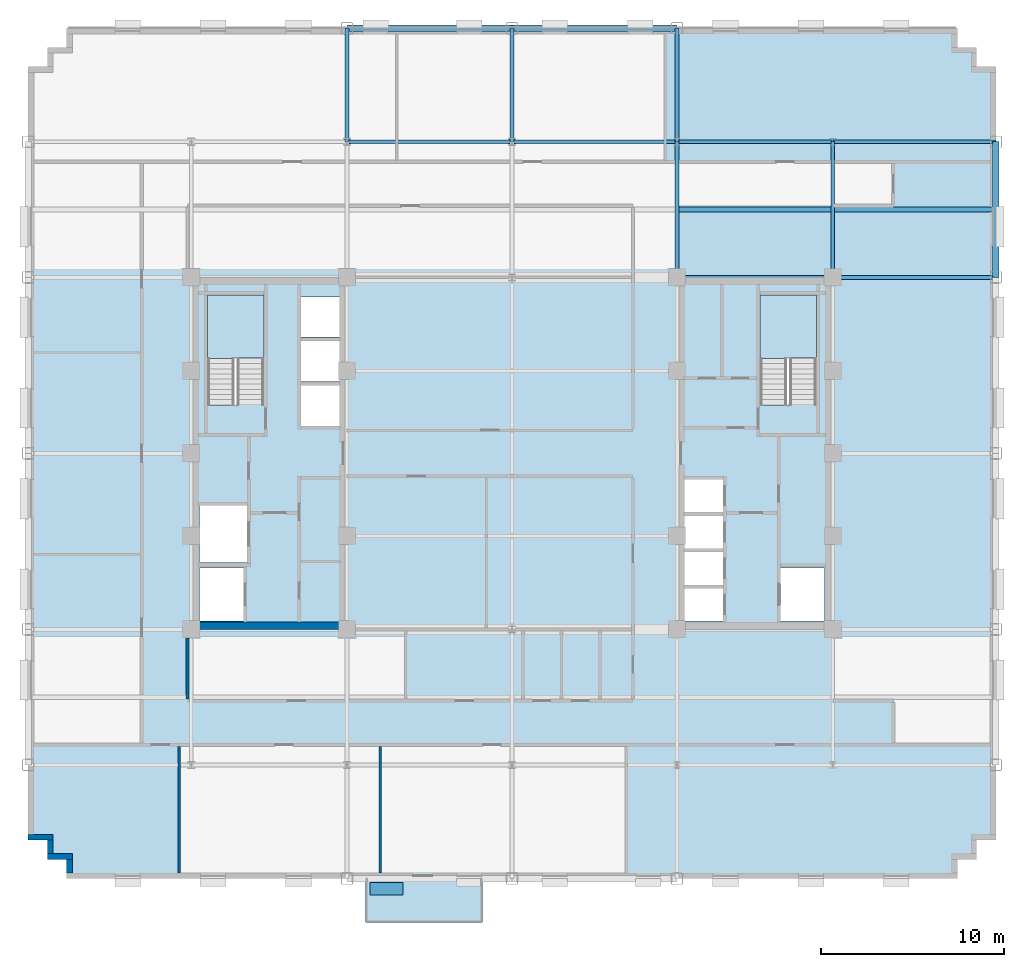
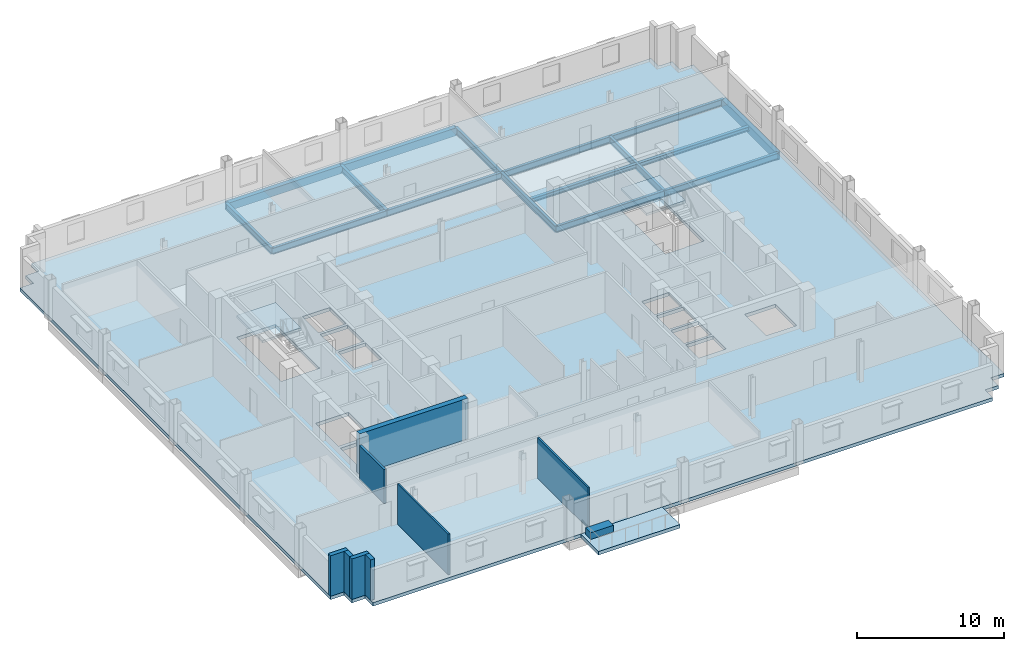
# One storey, part 5 of 13: 16 beams, 8 walls, 4 slabs, 1 plate, 2 elements without a shape of their own.
"""IFC4 building model written with IfcOpenShell, lengths in metres."""

from ifc_helpers import new_model, si_unit, direction, frame, frame_2d, origin, origin_2d, place, context, subcontext, project, spatial, polyline, rectangle, i_section, outline, extrude, source, transform, mapped, material, layer, layer_set, material_profile, profile_set, type_object, type_shapes, element, aggregate, save


model = new_model("IFC4")

# Units and contexts
model_context = context("Model", 3, precision=1e-05, world=origin(), true_north=direction((0.0, 1.0)))
body_context = subcontext(model_context, "Body", "Model", "MODEL_VIEW")
ifc_project = project(units=[si_unit("LENGTHUNIT", "METRE"), si_unit("AREAUNIT", "SQUARE_METRE"), si_unit("VOLUMEUNIT", "CUBIC_METRE"), si_unit("PLANEANGLEUNIT", "RADIAN"), si_unit("MASSUNIT", "GRAM", prefix="KILO")], contexts=[model_context])

# Site, building, storey
site_placement = place(None, origin())
site = spatial("IfcSite", under=ifc_project, at=site_placement, CompositionType="ELEMENT")
building_placement = place(site_placement, origin())
building = spatial("IfcBuilding", under=site, at=building_placement, Name="Nuvemarco Arch Tower", CompositionType="ELEMENT")
storey_placement = place(building_placement, frame((0.0, 0.0, 149.39990234375)))
storey = spatial("IfcBuildingStorey", under=building, at=storey_placement, Name="L39", CompositionType="ELEMENT", Elevation=149.39990234375)

# Beams
ifc_material_1 = material(Name="Steel S355", Category="steel")
ifc_material_profile_1 = material_profile(ifc_material_1, i_section(OverallWidth=0.2109375, OverallDepth=0.5390625, WebThickness=0.01171875, FlangeThickness=0.018798828125, FilletRadius=0.01611328125, at=origin_2d()), Name="W530x109")
ifc_profile_set_1 = profile_set([ifc_material_profile_1], Name="Steel S355")
beam_type_1 = type_object("IfcBeamType", Name="BM-GIRD-530", PredefinedType="BEAM", material=ifc_profile_set_1)
for number, where, z_axis, x_axis, name in (
    (1, (-9.0, 17.0, -0.54931640625), (0.0, 1.0, 0.0), (-1.0, 0.0, 0.0), "L39 structural beam BGNS_L39_0_-9.0_+17.0"),
    (2, (0.0, 17.0, -0.54931640625), (0.0, 1.0, 0.0), (-1.0, 0.0, 0.0), "L39 structural beam BGNS_L39_0_+0.0_+17.0"),
):
    element("IfcBeam", number, at=place(storey_placement, frame(where, z_axis=z_axis, x_axis=x_axis)), inside=storey, type_object=beam_type_1, Name=name, PredefinedType="BEAM", context=body_context, shape_type="SweptSolid", body=[
        extrude(i_section(OverallWidth=0.2109375, OverallDepth=0.5390625, WebThickness=0.01171875, FlangeThickness=0.018798828125, FilletRadius=0.01611328125, at=origin_2d()), origin(), (0.0, 0.0, 1.0), 6.199951171875),
    ])
beam_1_placement = place(storey_placement, frame((9.0, 9.60009765625, -0.54931640625), z_axis=(0.0, 1.0, 0.0), x_axis=(-1.0, 0.0, 0.0)))
element("IfcBeam", 3, at=beam_1_placement, inside=storey, type_object=beam_type_1, Name="L39 structural beam BGNS_L39_0_+9.0_+9.6", PredefinedType="BEAM", context=body_context, shape_type="SweptSolid", body=[
    extrude(i_section(OverallWidth=0.2109375, OverallDepth=0.5390625, WebThickness=0.01171875, FlangeThickness=0.018798828125, FilletRadius=0.01611328125, at=origin_2d()), origin(), (0.0, 0.0, 1.0), 7.39990234375),
])
beam_2_placement = place(storey_placement, frame((9.0, 17.0, -0.54931640625), z_axis=(0.0, 1.0, 0.0), x_axis=(-1.0, 0.0, 0.0)))
element("IfcBeam", 4, at=beam_2_placement, inside=storey, type_object=beam_type_1, Name="L39 structural beam BGNS_L39_0_+9.0_+17.0", PredefinedType="BEAM", context=body_context, shape_type="SweptSolid", body=[
    extrude(i_section(OverallWidth=0.2109375, OverallDepth=0.5390625, WebThickness=0.01171875, FlangeThickness=0.018798828125, FilletRadius=0.01611328125, at=origin_2d()), origin(), (0.0, 0.0, 1.0), 6.199951171875),
])
beam_3_placement = place(storey_placement, frame((17.5, 9.60009765625, -0.54931640625), z_axis=(0.0, 1.0, 0.0), x_axis=(-1.0, 0.0, 0.0)))
element("IfcBeam", 5, at=beam_3_placement, inside=storey, type_object=beam_type_1, Name="L39 structural beam BGNS_L39_0_+17.5_+9.6", PredefinedType="BEAM", context=body_context, shape_type="SweptSolid", body=[
    extrude(i_section(OverallWidth=0.2109375, OverallDepth=0.5390625, WebThickness=0.01171875, FlangeThickness=0.018798828125, FilletRadius=0.01611328125, at=origin_2d()), origin(), (0.0, 0.0, 1.0), 7.39990234375),
])
beam_4_placement = place(storey_placement, frame((9.0, 9.60009765625, -0.54931640625), z_axis=(1.0, 0.0, 0.0), x_axis=(0.0, 1.0, 0.0)))
element("IfcBeam", 6, at=beam_4_placement, inside=storey, type_object=beam_type_1, Name="L39 structural beam BGEW_L39_0_+9.6_+9.0", PredefinedType="BEAM", context=body_context, shape_type="SweptSolid", body=[
    extrude(i_section(OverallWidth=0.2109375, OverallDepth=0.5390625, WebThickness=0.01171875, FlangeThickness=0.018798828125, FilletRadius=0.01611328125, at=origin_2d()), origin(), (0.0, 0.0, 1.0), 8.5),
])
beam_5_placement = place(storey_placement, frame((17.5, 9.60009765625, -0.54931640625), z_axis=(1.0, 0.0, 0.0), x_axis=(0.0, 1.0, 0.0)))
element("IfcBeam", 7, at=beam_5_placement, inside=storey, type_object=beam_type_1, Name="L39 structural beam BGEW_L39_0_+9.6_+17.5", PredefinedType="BEAM", context=body_context, shape_type="SweptSolid", body=[
    extrude(i_section(OverallWidth=0.2109375, OverallDepth=0.5390625, WebThickness=0.01171875, FlangeThickness=0.018798828125, FilletRadius=0.01611328125, at=origin_2d()), origin(), (0.0, 0.0, 1.0), 8.89990234375),
])
for number, where, z_axis, x_axis, name in (
    (8, (-9.0, 17.0, -0.54931640625), (1.0, 0.0, 0.0), (0.0, 1.0, 0.0), "L39 structural beam BGEW_L39_0_+17.0_-9.0"),
    (9, (0.0, 17.0, -0.54931640625), (1.0, 0.0, 0.0), (0.0, 1.0, 0.0), "L39 structural beam BGEW_L39_0_+17.0_+0.0"),
):
    element("IfcBeam", number, at=place(storey_placement, frame(where, z_axis=z_axis, x_axis=x_axis)), inside=storey, type_object=beam_type_1, Name=name, PredefinedType="BEAM", context=body_context, shape_type="SweptSolid", body=[
        extrude(i_section(OverallWidth=0.2109375, OverallDepth=0.5390625, WebThickness=0.01171875, FlangeThickness=0.018798828125, FilletRadius=0.01611328125, at=origin_2d()), origin(), (0.0, 0.0, 1.0), 9.0),
    ])
beam_6_placement = place(storey_placement, frame((9.0, 17.0, -0.54931640625), z_axis=(1.0, 0.0, 0.0), x_axis=(0.0, 1.0, 0.0)))
element("IfcBeam", 10, at=beam_6_placement, inside=storey, type_object=beam_type_1, Name="L39 structural beam BGEW_L39_0_+17.0_+9.0", PredefinedType="BEAM", context=body_context, shape_type="SweptSolid", body=[
    extrude(i_section(OverallWidth=0.2109375, OverallDepth=0.5390625, WebThickness=0.01171875, FlangeThickness=0.018798828125, FilletRadius=0.01611328125, at=origin_2d()), origin(), (0.0, 0.0, 1.0), 8.5),
])
beam_7_placement = place(storey_placement, frame((17.5, 17.0, -0.54931640625), z_axis=(1.0, 0.0, 0.0), x_axis=(0.0, 1.0, 0.0)))
element("IfcBeam", 11, at=beam_7_placement, inside=storey, type_object=beam_type_1, Name="L39 structural beam BGEW_L39_0_+17.0_+17.5", PredefinedType="BEAM", context=body_context, shape_type="SweptSolid", body=[
    extrude(i_section(OverallWidth=0.2109375, OverallDepth=0.5390625, WebThickness=0.01171875, FlangeThickness=0.018798828125, FilletRadius=0.01611328125, at=origin_2d()), origin(), (0.0, 0.0, 1.0), 8.89990234375),
])
ifc_material_profile_2 = material_profile(ifc_material_1, i_section(OverallWidth=0.2548828125, OverallDepth=0.35693359375, WebThickness=0.010498046875, FlangeThickness=0.018310546875, FilletRadius=0.014892578125, at=origin_2d()), Name="W360x101")
ifc_profile_set_2 = profile_set([ifc_material_profile_2], Name="Steel S355")
beam_type_2 = type_object("IfcBeamType", Name="BM-JOIST-360H", PredefinedType="JOIST", material=ifc_profile_set_2)
beam_8_placement = place(storey_placement, frame((9.10546875, 13.300048828125, -0.45849609375), z_axis=(1.0, 0.0, 0.0), x_axis=(0.0, 1.0, 0.0)))
element("IfcBeam", 12, at=beam_8_placement, inside=storey, type_object=beam_type_2, Name="L39 structural beam BJ_L39_0_+13.3_+9.0", PredefinedType="JOIST", context=body_context, shape_type="SweptSolid", body=[
    extrude(i_section(OverallWidth=0.2548828125, OverallDepth=0.35693359375, WebThickness=0.010498046875, FlangeThickness=0.018310546875, FilletRadius=0.014892578125, at=origin_2d()), origin(), (0.0, 0.0, 1.0), 8.2890625),
])
beam_9_placement = place(storey_placement, frame((17.60546875, 13.300048828125, -0.45849609375), z_axis=(1.0, 0.0, 0.0), x_axis=(0.0, 1.0, 0.0)))
element("IfcBeam", 13, at=beam_9_placement, inside=storey, type_object=beam_type_2, Name="L39 structural beam BJ_L39_0_+13.3_+17.5", PredefinedType="JOIST", context=body_context, shape_type="SweptSolid", body=[
    extrude(i_section(OverallWidth=0.2548828125, OverallDepth=0.35693359375, WebThickness=0.010498046875, FlangeThickness=0.018310546875, FilletRadius=0.014892578125, at=origin_2d()), origin(), (0.0, 0.0, 1.0), 8.61962890625),
])
ifc_material_2 = material(Name="Precast concrete C45/55", Category="concrete")
ifc_material_profile_3 = material_profile(ifc_material_2, rectangle(XDim=0.35009765625, YDim=0.64990234375, at=origin_2d()), Name="PC-SP-350x650")
ifc_profile_set_3 = profile_set([ifc_material_profile_3], Name="Precast concrete C45/55")
beam_type_3 = type_object("IfcBeamType", Name="BM-SPAN-RC", PredefinedType="SPANDREL", material=ifc_profile_set_3)
beam_10_placement = place(storey_placement, frame((26.39990234375, 9.60009765625, -0.60498046875), z_axis=(0.0, 1.0, 0.0), x_axis=(-1.0, 0.0, 0.0)))
element("IfcBeam", 14, at=beam_10_placement, inside=storey, type_object=beam_type_3, Name="L39 structural beam BGNS_L39_0_+26.4_+9.6", PredefinedType="SPANDREL", context=body_context, shape_type="SweptSolid", body=[
    extrude(rectangle(XDim=0.35009765625, YDim=0.64990234375, at=origin_2d()), origin(), (0.0, 0.0, 1.0), 7.39990234375),
])
for number, where, z_axis, x_axis, name in (
    (15, (-9.0, 23.199951171875, -0.60498046875), (1.0, 0.0, 0.0), (0.0, 1.0, 0.0), "L39 structural beam BGEW_L39_0_+23.2_-9.0"),
    (16, (0.0, 23.199951171875, -0.60498046875), (1.0, 0.0, 0.0), (0.0, 1.0, 0.0), "L39 structural beam BGEW_L39_0_+23.2_+0.0"),
):
    element("IfcBeam", number, at=place(storey_placement, frame(where, z_axis=z_axis, x_axis=x_axis)), inside=storey, type_object=beam_type_3, Name=name, PredefinedType="SPANDREL", context=body_context, shape_type="SweptSolid", body=[
        extrude(rectangle(XDim=0.35009765625, YDim=0.64990234375, at=origin_2d()), origin(), (0.0, 0.0, 1.0), 9.0),
    ])

# Slab
ifc_material_3 = material(Name="Concrete C50/60", Category="concrete")
ifc_layer_1 = layer(ifc_material_3, 0.280029296875, Name="SL-FLR-280")
ifc_layer_set_1 = layer_set([ifc_layer_1], Name="Concrete C50/60")
slab_type_1 = type_object("IfcSlabType", Name="SL-FLR-280", PredefinedType="FLOOR", material=ifc_layer_set_1)
slab_1_placement = place(storey_placement, frame((0.0, 0.0, -0.27978515625)))
element("IfcSlab", 17, at=slab_1_placement, inside=storey, type_object=slab_type_1, Name="L39 structural floor slab", PredefinedType="FLOOR", context=body_context, shape_type="SweptSolid", body=[
    extrude(outline(polyline([(-24.300048828125, -23.199951171875), (24.300048828125, -23.199951171875), (24.300048828125, -22.14990234375), (25.35009765625, -22.14990234375), (25.35009765625, -21.10009765625), (26.39990234375, -21.10009765625), (26.39990234375, 21.10009765625), (25.35009765625, 21.10009765625), (25.35009765625, 22.14990234375), (24.300048828125, 22.14990234375), (24.300048828125, 23.199951171875), (-24.300048828125, 23.199951171875), (-24.300048828125, 22.14990234375), (-25.35009765625, 22.14990234375), (-25.35009765625, 21.10009765625), (-26.39990234375, 21.10009765625), (-26.39990234375, -21.10009765625), (-25.35009765625, -21.10009765625), (-25.35009765625, -22.14990234375), (-24.300048828125, -22.14990234375), (-24.300048828125, -23.199951171875)]), holes=[polyline([(-13.5400390625, 2.669921875), (-13.5400390625, 8.64990234375), (-16.60009765625, 8.64990234375), (-16.60009765625, 2.630615234375), (-15.070068359375, 2.630615234375), (-15.070068359375, 2.669921875), (-13.5400390625, 2.669921875)]), polyline([(16.60009765625, 2.669921875), (16.60009765625, 8.64990234375), (13.5400390625, 8.64990234375), (13.5400390625, 2.630615234375), (15.070068359375, 2.630615234375), (15.070068359375, 2.669921875), (16.60009765625, 2.669921875)]), polyline([(-17.050048828125, -9.14990234375), (-14.64990234375, -9.14990234375), (-14.64990234375, -6.25), (-17.050048828125, -6.25), (-17.050048828125, -9.14990234375)]), polyline([(-17.050048828125, -5.949951171875), (-14.449951171875, -5.949951171875), (-14.449951171875, -2.85009765625), (-17.050048828125, -2.85009765625), (-17.050048828125, -5.949951171875)]), polyline([(-11.5, 1.5), (-9.35009765625, 1.5), (-9.35009765625, 3.699951171875), (-11.5, 3.699951171875), (-11.5, 1.5)]), polyline([(-11.5, 3.919921875), (-9.35009765625, 3.919921875), (-9.35009765625, 6.1201171875), (-11.5, 6.1201171875), (-11.5, 3.919921875)]), polyline([(-11.5, 6.340087890625), (-9.35009765625, 6.340087890625), (-9.35009765625, 8.5400390625), (-11.5, 8.5400390625), (-11.5, 6.340087890625)]), polyline([(14.64990234375, -9.14990234375), (17.050048828125, -9.14990234375), (17.050048828125, -6.25), (14.64990234375, -6.25), (14.64990234375, -9.14990234375)]), polyline([(9.35009765625, -9.14990234375), (11.5, -9.14990234375), (11.5, -7.3701171875), (9.35009765625, -7.3701171875), (9.35009765625, -9.14990234375)]), polyline([(9.35009765625, -7.169921875), (11.5, -7.169921875), (11.5, -5.389892578125), (9.35009765625, -5.389892578125), (9.35009765625, -7.169921875)]), polyline([(9.35009765625, -5.18994140625), (11.5, -5.18994140625), (11.5, -3.409912109375), (9.35009765625, -3.409912109375), (9.35009765625, -5.18994140625)]), polyline([(9.35009765625, -3.2099609375), (11.5, -3.2099609375), (11.5, -1.429931640625), (9.35009765625, -1.429931640625), (9.35009765625, -3.2099609375)])]), origin(), (0.0, 0.0, 1.0), 0.27978515625),
])

# Stair, slab
stair_type = type_object("IfcStairType", Name="ST-CORE-20R", PredefinedType="HALF_TURN_STAIR", material=ifc_material_2)
stair_1_placement = place(storey_placement, origin())
stair_1 = element("IfcStair", 18, at=stair_1_placement, inside=storey, type_object=stair_type, Name="L39 Protected Exit Stair ST-1", PredefinedType="HALF_TURN_STAIR")
ifc_layer_2 = layer(ifc_material_2, 0.199951171875, Name="SL-LANDING-200")
ifc_layer_set_2 = layer_set([ifc_layer_2], Name="Precast concrete C45/55")
slab_type_2 = type_object("IfcSlabType", Name="SL-LANDING-200", PredefinedType="LANDING", material=ifc_layer_set_2)
slab_2_placement = place(storey_placement, frame((0.0, 0.0, 1.625)))
slab_2 = element("IfcSlab", 19, at=slab_2_placement, type_object=slab_type_2, Name="ST-20R landing 1", PredefinedType="LANDING", context=body_context, shape_type="SweptSolid", body=[
    extrude(outline(polyline([(-13.5400390625, 5.189453125), (-13.5400390625, 8.64990234375), (-16.60009765625, 8.64990234375), (-16.60009765625, 5.169921875), (-15.070068359375, 5.169921875), (-15.070068359375, 5.189453125), (-13.5400390625, 5.189453125)])), origin(), (0.0, 0.0, 1.0), 0.2001953125),
])
aggregate(stair_1, [slab_2])

stair_2_placement = place(storey_placement, origin())
stair_2 = element("IfcStair", 20, at=stair_2_placement, inside=storey, type_object=stair_type, Name="L39 Protected Exit Stair ST-2", PredefinedType="HALF_TURN_STAIR")
slab_3_placement = place(storey_placement, frame((0.0, 0.0, 1.625)))
slab_3 = element("IfcSlab", 21, at=slab_3_placement, type_object=slab_type_2, Name="ST-20R landing 1", PredefinedType="LANDING", context=body_context, shape_type="SweptSolid", body=[
    extrude(outline(polyline([(16.60009765625, 5.189453125), (16.60009765625, 8.64990234375), (13.5400390625, 8.64990234375), (13.5400390625, 5.169921875), (15.070068359375, 5.169921875), (15.070068359375, 5.189453125), (16.60009765625, 5.189453125)])), origin(), (0.0, 0.0, 1.0), 0.2001953125),
])
aggregate(stair_2, [slab_3])

# Slab
ifc_layer_3 = layer(ifc_material_3, 0.294921875, Name="SL-TR4")
ifc_layer_set_3 = layer_set([ifc_layer_3], Name="Concrete C50/60")
slab_type_3 = type_object("IfcSlabType", Name="SL-TR4", PredefinedType="FLOOR", material=ifc_layer_set_3)
slab_4_placement = place(storey_placement, frame((0.0, 0.0, -0.294921875)))
element("IfcSlab", 22, at=slab_4_placement, inside=storey, type_object=slab_type_3, Name="L39 outdoor spiral terrace slab 1", PredefinedType="FLOOR", context=body_context, shape_type="SweptSolid", body=[
    extrude(outline(polyline([(-8.0, -25.60009765625), (-1.60009765625, -25.60009765625), (-1.60009765625, -23.199951171875), (-8.0, -23.199951171875), (-8.0, -25.60009765625)])), origin(), (0.0, 0.0, 1.0), 0.294921875),
])

# Plate
ifc_layer_4 = layer(ifc_material_2, 0.550048828125, Name="Tree Balcony Structural Planter")
ifc_layer_set_4 = layer_set([ifc_layer_4], Name="Precast concrete C45/55")
plate_type = type_object("IfcPlateType", Name="Tree Balcony Structural Planter", PredefinedType="USERDEFINED", material=ifc_layer_set_4)
shared_shape = source(origin(), body_context, "Body", "SweptSolid", [
    extrude(rectangle(XDim=1.800048828125, YDim=0.699951171875, at=origin_2d()), origin(), (0.0, 0.0, 1.0), 0.550048828125),
])
type_shapes(plate_type, [shared_shape])
plate_placement = place(storey_placement, frame((-6.85009765625, -23.75, 0.0), z_axis=(0.0, 0.0, 1.0), x_axis=(1.0, 0.0, 0.0)))
element("IfcPlate", 23, at=plate_placement, inside=storey, type_object=plate_type, Name="L39 Tree Balcony Structural Planter", ObjectType="PLANTER", PredefinedType="USERDEFINED", context=body_context, shape_type="MappedRepresentation", body=[
    mapped(shared_shape, transform((0.0, 0.0, 0.0), scale=1.0)),
])

# Walls
ifc_layer_5 = layer(ifc_material_2, 0.320068359375, Name="EW-MID-320")
ifc_layer_set_5 = layer_set([ifc_layer_5], Name="Precast concrete C45/55")
wall_type_1 = type_object("IfcWallType", Name="EW-MID-320", PredefinedType="STANDARD", material=ifc_layer_set_5)
wall_1_placement = place(storey_placement, frame((-26.39990234375, -20.93994140625, 0.0), z_axis=(0.0, 0.0, 1.0), x_axis=(1.0, 0.0, 0.0)))
element("IfcWall", 24, at=wall_1_placement, inside=storey, type_object=wall_type_1, Name="L39 exterior precast facade wall 17", PredefinedType="STANDARD", context=body_context, shape_type="SweptSolid", body=[
    extrude(rectangle(XDim=1.369873046875, YDim=0.320068359375, at=frame_2d((0.68505859375, 0.0))), origin(), (0.0, 0.0, 1.0), 3.360107421875),
])
wall_2_placement = place(storey_placement, frame((-25.18994140625, -21.833984375, 0.0), z_axis=(0.0, 0.0, 1.0), x_axis=(0.0, 1.0, 0.0)))
element("IfcWall", 25, at=wall_2_placement, inside=storey, type_object=wall_type_1, Name="L39 exterior precast facade wall 18", PredefinedType="STANDARD", context=body_context, shape_type="SweptSolid", body=[
    extrude(rectangle(XDim=0.738037109375, YDim=0.320068359375, at=frame_2d((0.369140625, 0.0))), origin(), (0.0, 0.0, 1.0), 3.360107421875),
])
wall_3_placement = place(storey_placement, frame((-25.35009765625, -21.989990234375, 0.0), z_axis=(0.0, 0.0, 1.0), x_axis=(1.0, 0.0, 0.0)))
element("IfcWall", 26, at=wall_3_placement, inside=storey, type_object=wall_type_1, Name="L39 exterior precast facade wall 19", PredefinedType="STANDARD", context=body_context, shape_type="SweptSolid", body=[
    extrude(rectangle(XDim=1.3701171875, YDim=0.320068359375, at=frame_2d((0.68505859375, 0.0))), origin(), (0.0, 0.0, 1.0), 3.360107421875),
])
wall_4_placement = place(storey_placement, frame((-24.139892578125, -22.884033203125, 0.0), z_axis=(0.0, 0.0, 1.0), x_axis=(0.0, 1.0, 0.0)))
element("IfcWall", 27, at=wall_4_placement, inside=storey, type_object=wall_type_1, Name="L39 exterior precast facade wall 20", PredefinedType="STANDARD", context=body_context, shape_type="SweptSolid", body=[
    extrude(rectangle(XDim=0.738037109375, YDim=0.320068359375, at=frame_2d((0.369140625, 0.0))), origin(), (0.0, 0.0, 1.0), 3.360107421875),
])
ifc_material_4 = material(Name="Concrete C60/75", Category="concrete")
ifc_layer_6 = layer(ifc_material_4, 0.39990234375, Name="WL-CORE-400")
ifc_layer_set_6 = layer_set([ifc_layer_6], Name="Concrete C60/75")
wall_type_2 = type_object("IfcWallType", Name="WL-CORE-400", PredefinedType="SHEAR", material=ifc_layer_set_6)
wall_5_placement = place(storey_placement, frame((-17.5, -9.39990234375, 0.0), z_axis=(0.0, 0.0, 1.0), x_axis=(1.0, 0.0, 0.0)))
element("IfcWall", 28, at=wall_5_placement, inside=storey, type_object=wall_type_2, Name="L39 W-core shear wall S", PredefinedType="SHEAR", context=body_context, shape_type="SweptSolid", body=[
    extrude(rectangle(XDim=8.5, YDim=0.39990234375, at=frame_2d((4.25, 0.0))), origin(), (0.0, 0.0, 1.0), 3.3701171875),
])
ifc_material_5 = material(Name="Fire-rated gypsum drywall partition")
ifc_layer_7 = layer(ifc_material_5, 0.179931640625, Name="WL-CORR-180")
ifc_layer_set_7 = layer_set([ifc_layer_7], Name="Fire-rated gypsum drywall partition")
wall_type_3 = type_object("IfcWallType", Name="WL-CORR-180", PredefinedType="PARTITIONING", material=ifc_layer_set_7)
wall_6_placement = place(storey_placement, frame((-17.699951171875, -13.4140625, 0.0), z_axis=(0.0, 0.0, 1.0), x_axis=(0.0, 1.0, 0.0)))
element("IfcWall", 29, at=wall_6_placement, inside=storey, type_object=wall_type_3, Name="L39 interior wall IW-L39-017", PredefinedType="PARTITIONING", context=body_context, shape_type="SweptSolid", body=[
    extrude(rectangle(XDim=3.343017578125, YDim=0.179931640625, at=frame_2d((1.67138671875, 0.0))), origin(), (0.0, 0.0, 1.0), 2.816162109375),
])
ifc_material_6 = material(Name="Glazed acoustic office partition")
ifc_layer_8 = layer(ifc_material_6, 0.1298828125, Name="WL-EXEC-130")
ifc_layer_set_8 = layer_set([ifc_layer_8], Name="Glazed acoustic office partition")
wall_type_4 = type_object("IfcWallType", Name="WL-EXEC-130", PredefinedType="PARTITIONING", material=ifc_layer_set_8)
for number, where, z_axis, x_axis, name in (
    (30, (-18.14990234375, -22.8798828125, 0.0), (0.0, 0.0, 1.0), (0.0, 1.0, 0.0), "L39 interior wall IW-L39-016"),
    (31, (-7.179931640625, -22.8798828125, 0.0), (0.0, 0.0, 1.0), (0.0, 1.0, 0.0), "L39 interior wall IW-L39-019"),
):
    element("IfcWall", number, at=place(storey_placement, frame(where, z_axis=z_axis, x_axis=x_axis)), inside=storey, type_object=wall_type_4, Name=name, PredefinedType="PARTITIONING", context=body_context, shape_type="SweptSolid", body=[
        extrude(rectangle(XDim=6.893798828125, YDim=0.1298828125, at=frame_2d((3.44677734375, 0.0))), origin(), (0.0, 0.0, 1.0), 3.360107421875),
    ])

save(model, "model.ifc")
